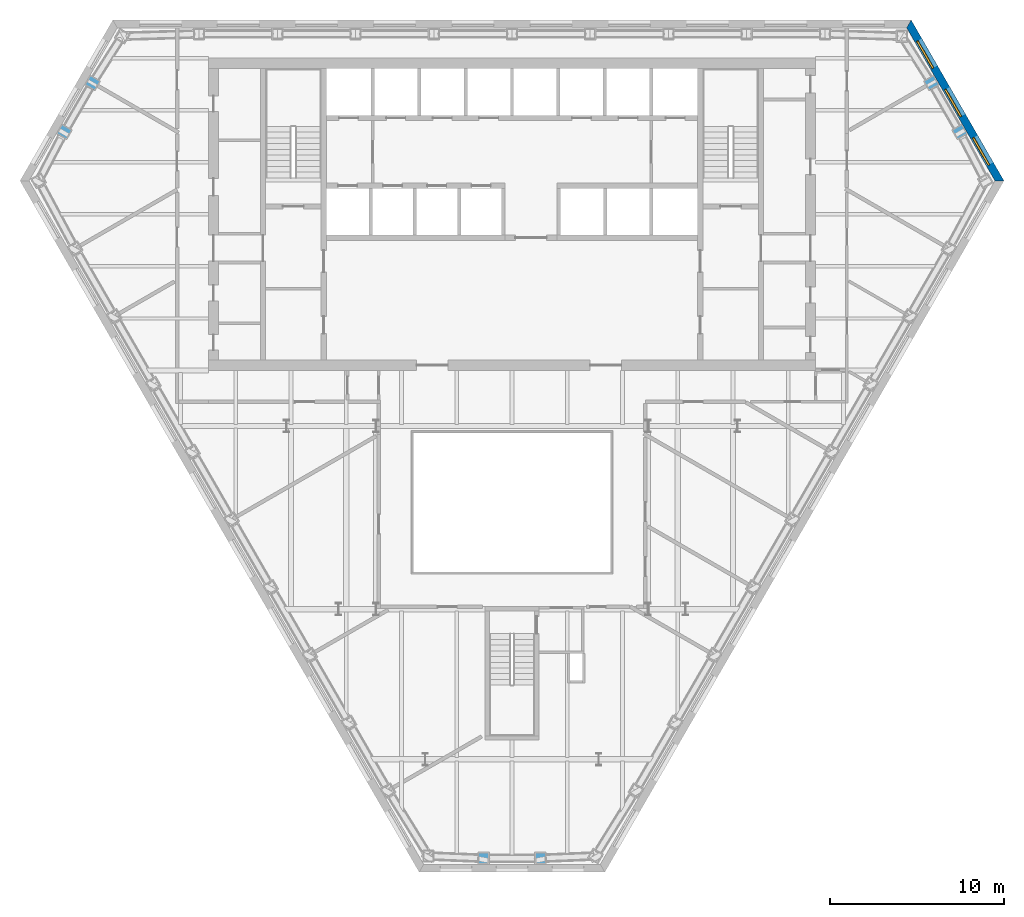
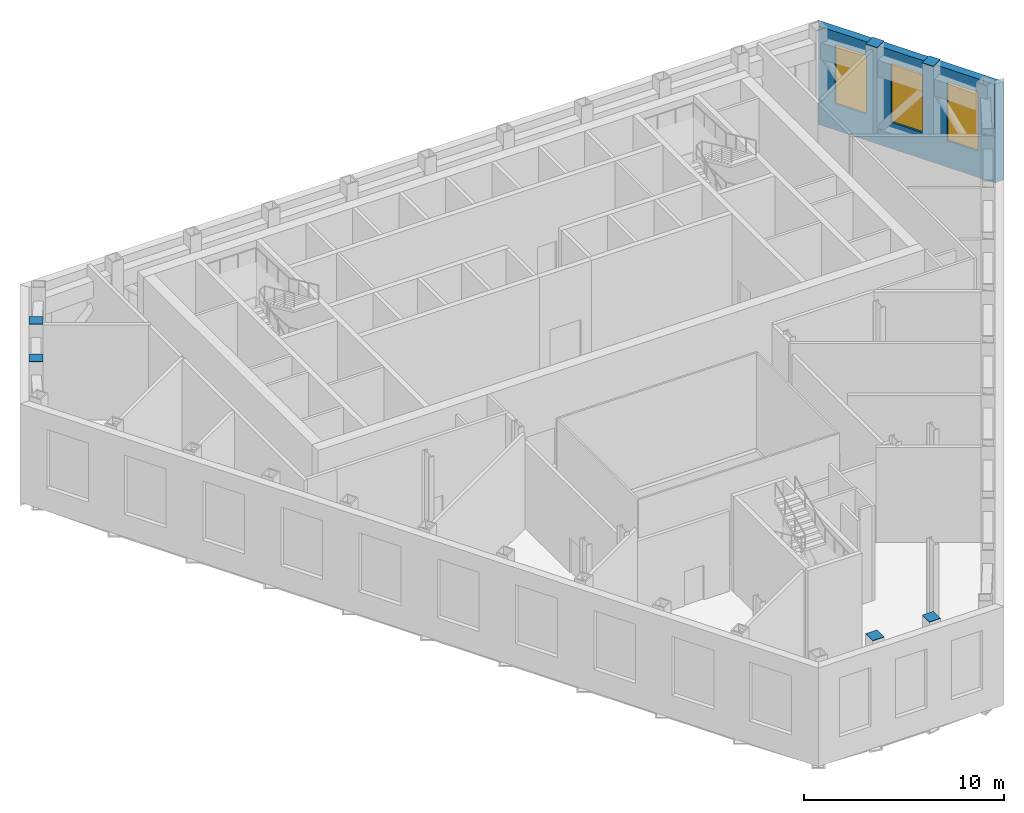
# One storey, part 11 of 14: 6 discrete accessories, 3 shading devices, 1 wall, 3 openings.
"""IFC4 building model written with IfcOpenShell, lengths in metres."""

from ifc_helpers import new_model, si_unit, direction, frame, frame_2d, origin, place, context, subcontext, project, spatial, polyline, rectangle, outline, extrude, material, layer, layer_set, type_object, element, fill, save


model = new_model("IFC4")

# Units and contexts
model_context = context("Model", 3, precision=1e-05, world=origin(), true_north=direction((0.0, 1.0)))
body_context = subcontext(model_context, "Body", "Model", "MODEL_VIEW")
ifc_project = project(units=[si_unit("LENGTHUNIT", "METRE"), si_unit("AREAUNIT", "SQUARE_METRE"), si_unit("VOLUMEUNIT", "CUBIC_METRE"), si_unit("PLANEANGLEUNIT", "RADIAN"), si_unit("MASSUNIT", "GRAM", prefix="KILO")], contexts=[model_context])

# Site, building, storey
site_placement = place(None, origin())
site = spatial("IfcSite", under=ifc_project, at=site_placement, CompositionType="ELEMENT")
building_placement = place(site_placement, origin())
building = spatial("IfcBuilding", under=site, at=building_placement, Name="Njiva Tower", CompositionType="ELEMENT")
storey_placement = place(building_placement, frame((0.0, 0.0, 78.3)))
storey = spatial("IfcBuildingStorey", under=building, at=storey_placement, Name="L16", CompositionType="ELEMENT", Elevation=78.3)

# Wall, openings, shading devices
ifc_material_1 = material(Name="Brick masonry, buff", Category="masonry")
ifc_layer_1 = layer(ifc_material_1, 0.45)
ifc_layer_set_1 = layer_set([ifc_layer_1], Name="Brick masonry, buff")
wall_type = type_object("IfcWallType", Name="WT94 Brick pier and spandrel wall 450, buff", PredefinedType="SOLIDWALL", material=ifc_layer_set_1)
wall_placement = place(storey_placement, frame((28.0902, 10.9335, -0.4), z_axis=(0.0, 0.0, 1.0), x_axis=(-0.499999104984, 0.866025920521, 0.0)))
wall = element("IfcWall", 1, at=wall_placement, inside=storey, type_object=wall_type, Name="Facade wall NE", PredefinedType="SOLIDWALL", context=body_context, shape_type="SweptSolid", body=[
    extrude(outline(polyline([(-0.1299, -0.225), (10.5701, -0.225), (10.3103, 0.225), (0.1299, 0.225), (-0.1299, -0.225)])), origin(), (0.0, 0.0, 1.0), 6.0),
])
opening_1_placement = place(wall_placement, frame((1.0997, 0.0, 1.6)))
opening_1 = element("IfcOpeningElement", 2, at=opening_1_placement, cuts=wall, Name="Opening T1-LV37", PredefinedType="OPENING", context=body_context, shape_type="SweptSolid", body=[
    extrude(rectangle(XDim=1.8, YDim=3.6, at=frame_2d((0.9, 1.8))), frame((0.0, 0.235, 0.0), z_axis=(0.0, -1.0, 0.0), x_axis=(1.0, 0.0, 0.0)), (0.0, 0.0, 1.0), 0.47),
])
opening_2_placement = place(wall_placement, frame((4.3201, 0.0, 1.6)))
opening_2 = element("IfcOpeningElement", 3, at=opening_2_placement, cuts=wall, Name="Opening T1-LV38", PredefinedType="OPENING", context=body_context, shape_type="SweptSolid", body=[
    extrude(rectangle(XDim=1.8, YDim=3.6, at=frame_2d((0.9, 1.8))), frame((0.0, 0.235, 0.0), z_axis=(0.0, -1.0, 0.0), x_axis=(1.0, 0.0, 0.0)), (0.0, 0.0, 1.0), 0.47),
])
opening_3_placement = place(wall_placement, frame((7.5404, 0.0, 1.6)))
opening_3 = element("IfcOpeningElement", 4, at=opening_3_placement, cuts=wall, Name="Opening T1-LV39", PredefinedType="OPENING", context=body_context, shape_type="SweptSolid", body=[
    extrude(rectangle(XDim=1.8, YDim=3.6, at=frame_2d((0.9, 1.8))), frame((0.0, 0.235, 0.0), z_axis=(0.0, -1.0, 0.0), x_axis=(1.0, 0.0, 0.0)), (0.0, 0.0, 1.0), 0.47),
])
ifc_material_2 = material(Name="Aluminium louvre blades", Category="aluminium")
shading_device_type = type_object("IfcShadingDeviceType", Name="LV2 Plant louvre 1800x3600", PredefinedType="JALOUSIE", material=ifc_material_2)
shading_device_1_placement = place(opening_1_placement, origin())
shading_device_1 = element("IfcShadingDevice", 5, at=shading_device_1_placement, inside=storey, type_object=shading_device_type, Name="Plant louvre", PredefinedType="JALOUSIE", context=body_context, shape_type="SweptSolid", body=[
    extrude(rectangle(XDim=1.8, YDim=3.6, at=frame_2d((0.9, 1.8))), frame((0.0, 0.125, 0.0), z_axis=(0.0, -1.0, 0.0), x_axis=(1.0, 0.0, 0.0)), (0.0, 0.0, 1.0), 0.1),
])
fill(opening_1, shading_device_1)
shading_device_2_placement = place(opening_2_placement, origin())
shading_device_2 = element("IfcShadingDevice", 6, at=shading_device_2_placement, inside=storey, type_object=shading_device_type, Name="Plant louvre", PredefinedType="JALOUSIE", context=body_context, shape_type="SweptSolid", body=[
    extrude(rectangle(XDim=1.8, YDim=3.6, at=frame_2d((0.9, 1.8))), frame((0.0, 0.125, 0.0), z_axis=(0.0, -1.0, 0.0), x_axis=(1.0, 0.0, 0.0)), (0.0, 0.0, 1.0), 0.1),
])
fill(opening_2, shading_device_2)
shading_device_3_placement = place(opening_3_placement, origin())
shading_device_3 = element("IfcShadingDevice", 7, at=shading_device_3_placement, inside=storey, type_object=shading_device_type, Name="Plant louvre", PredefinedType="JALOUSIE", context=body_context, shape_type="SweptSolid", body=[
    extrude(rectangle(XDim=1.8, YDim=3.6, at=frame_2d((0.9, 1.8))), frame((0.0, 0.125, 0.0), z_axis=(0.0, -1.0, 0.0), x_axis=(1.0, 0.0, 0.0)), (0.0, 0.0, 1.0), 0.1),
])
fill(opening_3, shading_device_3)

# Discrete accessories
ifc_material_3 = material(Name="Steel S355 J2", Category="steel")
ifc_layer_2 = layer(ifc_material_3, 0.03)
ifc_layer_set_2 = layer_set([ifc_layer_2], Name="Steel S355 J2")
discrete_accessory_type = type_object("IfcDiscreteAccessoryType", Name="CP1 Column end cap plate 30", PredefinedType="USERDEFINED", material=ifc_layer_set_2)
for number, where, name in (
    (8, (-24.167, 16.578, 6.0), "Column end cap plate T1-CP01"),
    (9, (-25.797, 13.756, 6.0), "Column end cap plate T1-CP02"),
):
    element("IfcDiscreteAccessory", number, at=place(storey_placement, frame(where)), inside=storey, type_object=discrete_accessory_type, Name=name, ObjectType="END PLATE", PredefinedType="USERDEFINED", context=body_context, shape_type="SweptSolid", body=[
        extrude(outline(polyline([(0.1406, -0.4565), (0.4656, 0.1065), (-0.1406, 0.4565), (-0.4656, -0.1065), (0.1406, -0.4565)])), origin(), (0.0, 0.0, 1.0), 0.03),
    ])
for number, where, name in (
    (10, (-1.629, -28.104, 6.0), "Column end cap plate T1-CP03"),
    (11, (1.629, -28.104, 6.0), "Column end cap plate T1-CP04"),
):
    element("IfcDiscreteAccessory", number, at=place(storey_placement, frame(where)), inside=storey, type_object=discrete_accessory_type, Name=name, ObjectType="END PLATE", PredefinedType="USERDEFINED", context=body_context, shape_type="SweptSolid", body=[
        extrude(outline(polyline([(0.325, 0.35), (-0.325, 0.35), (-0.325, -0.35), (0.325, -0.35), (0.325, 0.35)])), origin(), (0.0, 0.0, 1.0), 0.03),
    ])
for number, where, name in (
    (12, (25.797, 13.756, 6.0), "Column end cap plate T1-CP05"),
    (13, (24.167, 16.578, 6.0), "Column end cap plate T1-CP06"),
):
    element("IfcDiscreteAccessory", number, at=place(storey_placement, frame(where)), inside=storey, type_object=discrete_accessory_type, Name=name, ObjectType="END PLATE", PredefinedType="USERDEFINED", context=body_context, shape_type="SweptSolid", body=[
        extrude(outline(polyline([(-0.4656, 0.1065), (-0.1406, -0.4565), (0.4656, -0.1065), (0.1406, 0.4565), (-0.4656, 0.1065)])), origin(), (0.0, 0.0, 1.0), 0.03),
    ])

save(model, "model.ifc")
